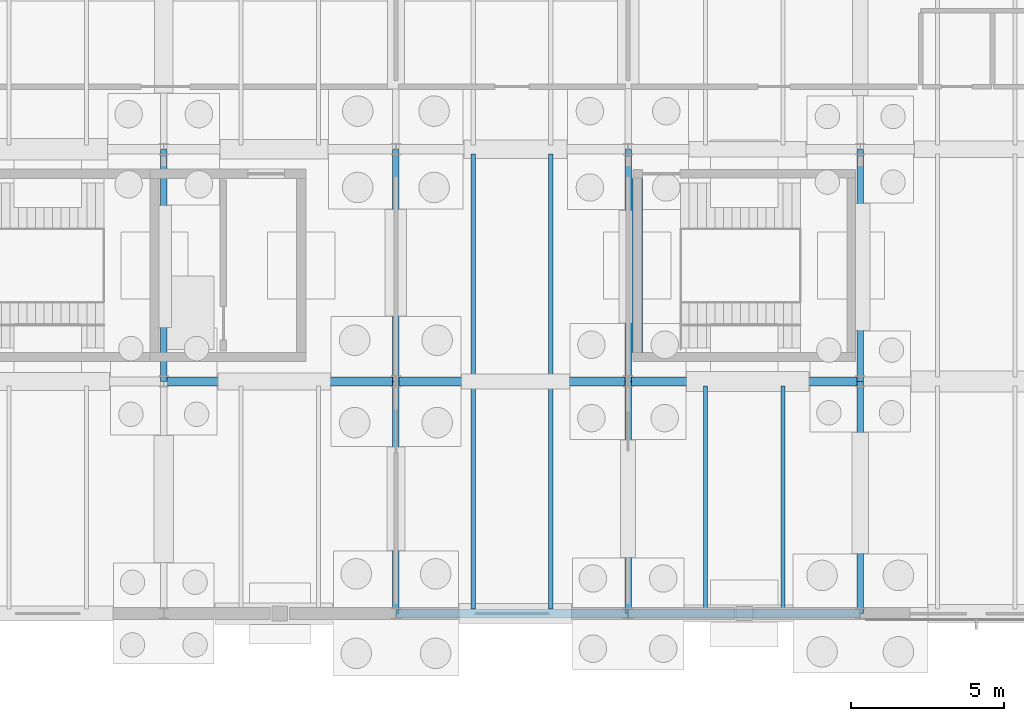
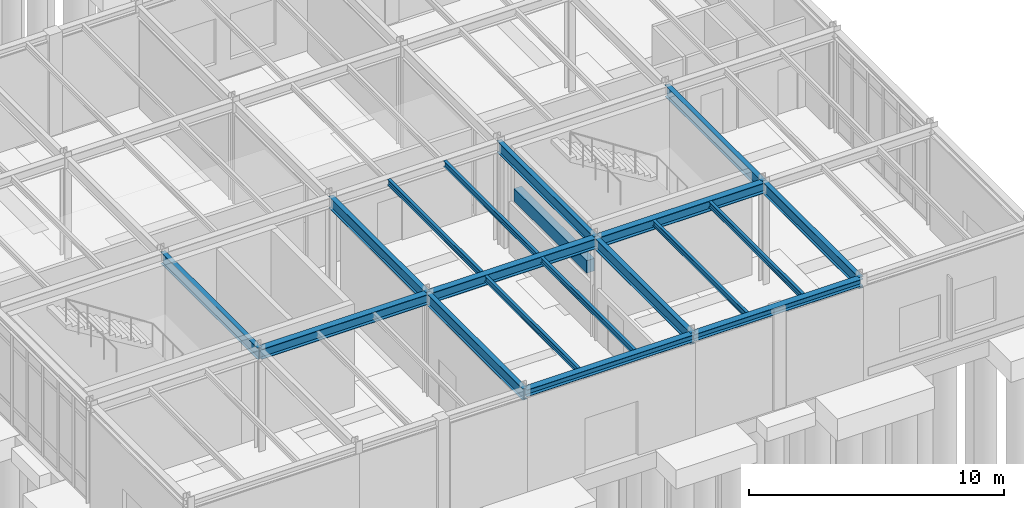
# One storey, part 29 of 109: 19 beams.
"""IFC4 building model written with IfcOpenShell, lengths in metres."""

import ifcopenshell
import ifcopenshell.guid

model = None  # the IFC model being written
_history = None  # IfcOwnerHistory: only IFC2X3 demands one
_inside = {}  # id of a spatial element -> (the spatial element, [elements in it])
_under = {}  # id of a project, library or spatial element -> (it, [spatial elements below it])
_declared = {}  # id of a project -> (the project, [libraries it declares])
_typed = {}  # id of a type object -> (the type object, [elements of that type])
_made_of = {}  # id of a material, layer set ... -> (it, [elements and type objects made of it])


def new_model(schema):
    """Start an empty IFC model of exactly this schema.

    Asked for "IFC4X3", IfcOpenShell would pick the latest addendum, in which some entities
    have other attributes; the version numbers below select the first issue.
    IFC2X3 requires an IfcOwnerHistory on every rooted entity: one is made here for all.
    """
    global model, _history
    if schema == "IFC4X3":
        model = ifcopenshell.file(schema_version=(4, 3, 0, 0))
    else:
        model = ifcopenshell.file(schema=schema)
    _inside.clear()
    _under.clear()
    _declared.clear()
    _typed.clear()
    _made_of.clear()
    _history = None
    if model.schema == "IFC2X3":
        org = make("IfcOrganization", Name="unknown")
        user = make(
            "IfcPersonAndOrganization",
            ThePerson=make("IfcPerson", FamilyName="unknown"),
            TheOrganization=org,
        )
        app = make(
            "IfcApplication",
            ApplicationDeveloper=org,
            Version="unknown",
            ApplicationFullName="unknown",
            ApplicationIdentifier="unknown",
        )
        _history = make(
            "IfcOwnerHistory",
            OwningUser=user,
            OwningApplication=app,
            ChangeAction="ADDED",
            CreationDate=0,
        )
    return model


def make(cls, **values):
    """One entity of the class cls with the attributes given. An attribute that is None is left unset."""
    return model.create_entity(
        cls, **{name: value for name, value in values.items() if value is not None}
    )


def rooted(cls, **values):
    """An entity with a GlobalId (a new one), such as an element, a storey or a relation."""
    return make(cls, GlobalId=ifcopenshell.guid.new(), OwnerHistory=_history, **values)


def si_unit(unit_type, name, prefix=None):
    """IfcSIUnit, for example si_unit("LENGTHUNIT", "METRE", prefix="MILLI")."""
    return make("IfcSIUnit", UnitType=unit_type, Prefix=prefix, Name=name)


def assignment(units):
    """IfcUnitAssignment: the units of a project."""
    return None if units is None else make("IfcUnitAssignment", Units=units)


def point(xyz):
    """IfcCartesianPoint."""
    return None if xyz is None else make("IfcCartesianPoint", Coordinates=xyz)


def direction(xyz):
    """IfcDirection."""
    return None if xyz is None else make("IfcDirection", DirectionRatios=xyz)


def frame(location, z_axis=None, x_axis=None):
    """IfcAxis2Placement3D, a coordinate frame: its origin and axes. An axis left out is left unset."""
    return make(
        "IfcAxis2Placement3D",
        Location=point(location),
        Axis=direction(z_axis),
        RefDirection=direction(x_axis),
    )


def frame_2d(location, x_axis=None):
    """IfcAxis2Placement2D, a coordinate frame in the plane: its origin and x axis."""
    return make(
        "IfcAxis2Placement2D", Location=point(location), RefDirection=direction(x_axis)
    )


def origin():
    """The frame at (0, 0, 0) with its axes left unset."""
    return frame((0.0, 0.0, 0.0))


def origin_2d():
    """The frame at (0, 0) in the plane with its x axis left unset."""
    return frame_2d((0.0, 0.0))


def place(relative_to, where):
    """IfcLocalPlacement: puts the frame where relative to a parent placement (None: the world)."""
    return make(
        "IfcLocalPlacement", PlacementRelTo=relative_to, RelativePlacement=where
    )


def context(
    kind, dimensions, precision=None, world=None, true_north=None, identifier=None
):
    """IfcGeometricRepresentationContext, for example the 3D "Model" context."""
    return make(
        "IfcGeometricRepresentationContext",
        ContextIdentifier=identifier,
        ContextType=kind,
        CoordinateSpaceDimension=dimensions,
        Precision=precision,
        WorldCoordinateSystem=world,
        TrueNorth=true_north,
    )


def subcontext(parent, identifier, kind, view, scale=None):
    """IfcGeometricRepresentationSubContext, for example "Body" below "Model"."""
    return make(
        "IfcGeometricRepresentationSubContext",
        ContextIdentifier=identifier,
        ContextType=kind,
        ParentContext=parent,
        TargetScale=scale,
        TargetView=view,
    )


def project(units=None, contexts=None):
    """IfcProject with its units and contexts."""
    return rooted(
        "IfcProject",
        Name="project",
        RepresentationContexts=contexts,
        UnitsInContext=assignment(units),
    )


def spatial(cls, under=None, at=None, **own):
    """A site, building, storey or space (cls), placed at a placement, below another one or the project."""
    s = rooted(cls, ObjectPlacement=at, **own)
    if under is not None:
        _under.setdefault(under.id(), (under, []))[1].append(s)
    return s


def profile(cls, at=None, kind="AREA", **sizes):
    """A parametric profile (cls). Its sizes go by their IFC names, for example OverallWidth=200.0."""
    return make(cls, ProfileType=kind, Position=at, **sizes)


def rectangle(**sizes):
    """IfcRectangleProfileDef."""
    return profile("IfcRectangleProfileDef", **sizes)


def i_section(**sizes):
    """IfcIShapeProfileDef."""
    return profile("IfcIShapeProfileDef", **sizes)


def extrude(swept, where, along, depth):
    """IfcExtrudedAreaSolid: the profile swept, set in the frame where, extruded along a direction by depth."""
    return make(
        "IfcExtrudedAreaSolid",
        SweptArea=swept,
        Position=where,
        ExtrudedDirection=direction(along),
        Depth=depth,
    )


def shape(context_of_items, identifier, shape_type, items):
    """IfcShapeRepresentation: the items that make up one representation, for example the "Body"."""
    return make(
        "IfcShapeRepresentation",
        ContextOfItems=context_of_items,
        RepresentationIdentifier=identifier,
        RepresentationType=shape_type,
        Items=items,
    )


def material(Name=None, Category=None):
    """IfcMaterial."""
    return make("IfcMaterial", Name=Name, Category=Category)


def material_profile(
    of_material, cross_section, Name=None, Category=None, Priority=None
):
    """IfcMaterialProfile: a cross section and its material."""
    return make(
        "IfcMaterialProfile",
        Name=Name,
        Material=of_material,
        Profile=cross_section,
        Priority=Priority,
        Category=Category,
    )


def profile_set(profiles, Name=None, composite=None):
    """IfcMaterialProfileSet."""
    return make(
        "IfcMaterialProfileSet",
        Name=Name,
        MaterialProfiles=profiles,
        CompositeProfile=composite,
    )


def made_of(thing, what):
    """Note that an element or type object is made of a material, layer set ...; save() writes the relation."""
    if what is not None:
        _made_of.setdefault(what.id(), (what, []))[1].append(thing)
    return thing


def type_object(cls, material=None, **own):
    """A type object (cls), such as IfcWallType, which elements share."""
    return made_of(rooted(cls, **own), material)


def element(
    cls,
    number,
    at=None,
    inside=None,
    cuts=None,
    type_object=None,
    material=None,
    context=None,
    identifier="Body",
    shape_type=None,
    held_by="IfcProductDefinitionShape",
    body=None,
    shapes=None,
    **own,
):
    """One element of the class cls, such as IfcWall. Its Tag is "e" and its number.

    at: its placement. inside: the storey or other place that contains it. cuts: it is an
    opening in that element (IfcRelVoidsElement). A single representation is given by context,
    identifier, shape_type and body (its items); several are given by shapes. held_by: the class
    of the entity that holds the representations. save() writes the other relations.
    """
    e = rooted(cls, Tag="e%d" % number, ObjectPlacement=at, **own)
    if body is not None:
        shapes = [shape(context, identifier, shape_type, body)]
    if shapes is not None:
        e.Representation = make(held_by, Representations=shapes)
    if inside is not None:
        _inside.setdefault(inside.id(), (inside, []))[1].append(e)
    if cuts is not None:
        rooted(
            "IfcRelVoidsElement", RelatingBuildingElement=cuts, RelatedOpeningElement=e
        )
    if type_object is not None:
        _typed.setdefault(type_object.id(), (type_object, []))[1].append(e)
    return made_of(e, material)


def aggregate(whole, parts):
    """IfcRelAggregates: a whole, such as a stair, and the parts it consists of."""
    return rooted("IfcRelAggregates", RelatingObject=whole, RelatedObjects=parts)


def save(model, path):
    """Write the relations noted so far, then the file.

    IfcRelAggregates (storeys below a building ...), IfcRelContainedInSpatialStructure (elements
    in a storey), IfcRelDefinesByType, IfcRelAssociatesMaterial and IfcRelDeclares: one each for
    every whole, place, type object, material and project.
    """
    for whole, parts in _under.values():
        aggregate(whole, parts)
    for where, things in _inside.values():
        rooted(
            "IfcRelContainedInSpatialStructure",
            RelatedElements=things,
            RelatingStructure=where,
        )
    for kind, things in _typed.values():
        rooted("IfcRelDefinesByType", RelatedObjects=things, RelatingType=kind)
    for what, things in _made_of.values():
        rooted("IfcRelAssociatesMaterial", RelatedObjects=things, RelatingMaterial=what)
    for by, libraries in _declared.values():
        rooted("IfcRelDeclares", RelatingContext=by, RelatedDefinitions=libraries)
    model.write(path)


model = new_model("IFC4")

# Units and contexts
model_context = context("Model", 3, precision=1e-05, world=origin(), true_north=direction((0.0, 1.0)))
body_context = subcontext(model_context, "Body", "Model", "MODEL_VIEW")
ifc_project = project(units=[si_unit("LENGTHUNIT", "METRE"), si_unit("AREAUNIT", "SQUARE_METRE"), si_unit("VOLUMEUNIT", "CUBIC_METRE"), si_unit("PLANEANGLEUNIT", "RADIAN"), si_unit("MASSUNIT", "GRAM", prefix="KILO")], contexts=[model_context])

# Site, building, storey
site_placement = place(None, origin())
site = spatial("IfcSite", under=ifc_project, at=site_placement, CompositionType="ELEMENT")
building_placement = place(site_placement, origin())
building = spatial("IfcBuilding", under=site, at=building_placement, Name="Montecoro Central Library", CompositionType="ELEMENT")
storey_placement = place(building_placement, origin())
storey = spatial("IfcBuildingStorey", under=building, at=storey_placement, Name="L00", CompositionType="ELEMENT", Elevation=0.0)

# Beams
ifc_material_1 = material(Name="Steel S355J2", Category="steel")
ifc_material_profile_1 = material_profile(ifc_material_1, i_section(OverallWidth=0.300048828125, OverallDepth=0.489990234375, WebThickness=0.011962890625, FlangeThickness=0.02294921875, at=origin_2d()), Name="HEA 500")
ifc_profile_set_1 = profile_set([ifc_material_profile_1], Name="Steel S355J2")
beam_type_1 = type_object("IfcBeamType", Name="BM-G-HEA500", PredefinedType="USERDEFINED", material=ifc_profile_set_1)
beam_1_placement = place(storey_placement, frame((12.60498046875, 12.60009765625, 4.60009765625), z_axis=(1.0, 0.0, 0.0), x_axis=(0.0, 1.0, 0.0)))
element("IfcBeam", 1, at=beam_1_placement, inside=storey, type_object=beam_type_1, Name="V3-L00-BX-23-B", ObjectType="GIRDER", PredefinedType="USERDEFINED", context=body_context, shape_type="SweptSolid", body=[
    extrude(i_section(OverallWidth=0.300048828125, OverallDepth=0.489990234375, WebThickness=0.011962890625, FlangeThickness=0.02294921875, at=origin_2d()), origin(), (0.0, 0.0, 1.0), 7.590087890625),
])
beam_2_placement = place(storey_placement, frame((20.205078125, 12.60009765625, 4.60009765625), z_axis=(1.0, 0.0, 0.0), x_axis=(0.0, 1.0, 0.0)))
element("IfcBeam", 2, at=beam_2_placement, inside=storey, type_object=beam_type_1, Name="V3-L00-BX-34-B", ObjectType="GIRDER", PredefinedType="USERDEFINED", context=body_context, shape_type="SweptSolid", body=[
    extrude(i_section(OverallWidth=0.300048828125, OverallDepth=0.489990234375, WebThickness=0.011962890625, FlangeThickness=0.02294921875, at=origin_2d()), origin(), (0.0, 0.0, 1.0), 7.58984375),
])
beam_3_placement = place(storey_placement, frame((27.804931640625, 12.60009765625, 4.60009765625), z_axis=(1.0, 0.0, 0.0), x_axis=(0.0, 1.0, 0.0)))
element("IfcBeam", 3, at=beam_3_placement, inside=storey, type_object=beam_type_1, Name="V3-L00-BX-45-B", ObjectType="GIRDER", PredefinedType="USERDEFINED", context=body_context, shape_type="SweptSolid", body=[
    extrude(i_section(OverallWidth=0.300048828125, OverallDepth=0.489990234375, WebThickness=0.011962890625, FlangeThickness=0.02294921875, at=origin_2d()), origin(), (0.0, 0.0, 1.0), 7.590087890625),
])
ifc_material_profile_2 = material_profile(ifc_material_1, i_section(OverallWidth=0.2099609375, OverallDepth=0.550048828125, WebThickness=0.010986328125, FlangeThickness=0.01708984375, at=origin_2d()), Name="IPE 550")
ifc_profile_set_2 = profile_set([ifc_material_profile_2], Name="Steel S355J2")
beam_type_2 = type_object("IfcBeamType", Name="BM-G-IPE550", PredefinedType="USERDEFINED", material=ifc_profile_set_2)
for number, where, z_axis, x_axis, name in (
    (4, (12.60009765625, 12.60498046875, 4.570068359375), (0.0, 1.0, 0.0), (-1.0, 0.0, 0.0), "V3-L00-BY-2-BC"),
    (5, (20.199951171875, 5.0048828125, 4.570068359375), (0.0, 1.0, 0.0), (-1.0, 0.0, 0.0), "V3-L00-BY-3-AB"),
    (6, (20.199951171875, 12.60498046875, 4.570068359375), (0.0, 1.0, 0.0), (-1.0, 0.0, 0.0), "V3-L00-BY-3-BC"),
    (7, (27.800048828125, 5.0048828125, 4.570068359375), (0.0, 1.0, 0.0), (-1.0, 0.0, 0.0), "V3-L00-BY-4-AB"),
    (8, (27.800048828125, 12.60498046875, 4.570068359375), (0.0, 1.0, 0.0), (-1.0, 0.0, 0.0), "V3-L00-BY-4-BC"),
    (9, (35.39990234375, 5.0048828125, 4.570068359375), (0.0, 1.0, 0.0), (-1.0, 0.0, 0.0), "V3-L00-BY-5-AB"),
    (10, (35.39990234375, 12.60498046875, 4.570068359375), (0.0, 1.0, 0.0), (-1.0, 0.0, 0.0), "V3-L00-BY-5-BC"),
):
    element("IfcBeam", number, at=place(storey_placement, frame(where, z_axis=z_axis, x_axis=x_axis)), inside=storey, type_object=beam_type_2, Name=name, ObjectType="GIRDER", PredefinedType="USERDEFINED", context=body_context, shape_type="SweptSolid", body=[
        extrude(i_section(OverallWidth=0.2099609375, OverallDepth=0.550048828125, WebThickness=0.010986328125, FlangeThickness=0.01708984375, at=origin_2d()), origin(), (0.0, 0.0, 1.0), 7.590087890625),
    ])
ifc_material_2 = material(Name="Steel S355", Category="steel")
ifc_material_profile_3 = material_profile(ifc_material_2, i_section(OverallWidth=0.135009765625, OverallDepth=0.27001953125, WebThickness=0.006591796875, FlangeThickness=0.01025390625, at=origin_2d()), Name="IPE 270")
ifc_profile_set_3 = profile_set([ifc_material_profile_3], Name="Steel S355")
beam_type_3 = type_object("IfcBeamType", Name="BM-J-IPE270", PredefinedType="JOIST", material=ifc_profile_set_3)
for number, where, z_axis, x_axis, name in (
    (11, (22.73291015625, 5.14697265625, 4.7099609375), (0.0, 1.0, 0.0), (-1.0, 0.0, 0.0), "V3-L00-JS-34-AB-1"),
    (12, (25.26708984375, 5.14697265625, 4.7099609375), (0.0, 1.0, 0.0), (-1.0, 0.0, 0.0), "V3-L00-JS-34-AB-2"),
    (13, (22.73291015625, 12.7470703125, 4.7099609375), (0.0, 1.0, 0.0), (-1.0, 0.0, 0.0), "V3-L00-JS-34-BC-1"),
    (14, (25.26708984375, 12.7470703125, 4.7099609375), (0.0, 1.0, 0.0), (-1.0, 0.0, 0.0), "V3-L00-JS-34-BC-2"),
    (15, (30.3330078125, 5.14697265625, 4.7099609375), (0.0, 1.0, 0.0), (-1.0, 0.0, 0.0), "V3-L00-JS-45-AB-1"),
    (16, (32.866943359375, 5.14697265625, 4.7099609375), (0.0, 1.0, 0.0), (-1.0, 0.0, 0.0), "V3-L00-JS-45-AB-2"),
):
    element("IfcBeam", number, at=place(storey_placement, frame(where, z_axis=z_axis, x_axis=x_axis)), inside=storey, type_object=beam_type_3, Name=name, PredefinedType="JOIST", context=body_context, shape_type="SweptSolid", body=[
        extrude(i_section(OverallWidth=0.135009765625, OverallDepth=0.27001953125, WebThickness=0.006591796875, FlangeThickness=0.01025390625, at=origin_2d()), origin(), (0.0, 0.0, 1.0), 7.305908203125),
    ])
ifc_material_3 = material(Name="Concrete C35/45", Category="concrete")
ifc_material_profile_4 = material_profile(ifc_material_3, rectangle(XDim=0.35009765625, YDim=0.60009765625, at=origin_2d()), Name="RC LNT 600x350")
ifc_profile_set_4 = profile_set([ifc_material_profile_4], Name="Concrete C35/45")
beam_type_4 = type_object("IfcBeamType", Name="BM-LN-RC01", PredefinedType="LINTEL", material=ifc_profile_set_4)
beam_4_placement = place(storey_placement, frame((28.10009765625, 13.550048828125, 2.75), z_axis=(0.0, 1.0, 0.0), x_axis=(-1.0, 0.0, 0.0)))
element("IfcBeam", 17, at=beam_4_placement, inside=storey, type_object=beam_type_4, Name="C11-L00-LNT", PredefinedType="LINTEL", context=body_context, shape_type="SweptSolid", body=[
    extrude(rectangle(XDim=0.35009765625, YDim=0.60009765625, at=origin_2d()), origin(), (0.0, 0.0, 1.0), 5.699951171875),
])
ifc_material_profile_5 = material_profile(ifc_material_2, i_section(OverallWidth=0.300048828125, OverallDepth=0.330078125, WebThickness=0.009521484375, FlangeThickness=0.0166015625, at=origin_2d()), Name="HEA 340")
ifc_profile_set_5 = profile_set([ifc_material_profile_5], Name="Steel S355")
beam_type_5 = type_object("IfcBeamType", Name="BM-SP-HEA340", PredefinedType="SPANDREL", material=ifc_profile_set_5)
beam_5_placement = place(storey_placement, frame((20.205078125, 5.0, 4.679931640625), z_axis=(1.0, 0.0, 0.0), x_axis=(0.0, 1.0, 0.0)))
element("IfcBeam", 18, at=beam_5_placement, inside=storey, type_object=beam_type_5, Name="V3-L00-BX-34-A", PredefinedType="SPANDREL", context=body_context, shape_type="SweptSolid", body=[
    extrude(i_section(OverallWidth=0.300048828125, OverallDepth=0.330078125, WebThickness=0.009521484375, FlangeThickness=0.0166015625, at=origin_2d()), origin(), (0.0, 0.0, 1.0), 7.58984375),
])
beam_6_placement = place(storey_placement, frame((27.804931640625, 5.0, 4.679931640625), z_axis=(1.0, 0.0, 0.0), x_axis=(0.0, 1.0, 0.0)))
element("IfcBeam", 19, at=beam_6_placement, inside=storey, type_object=beam_type_5, Name="V3-L00-BX-45-A", PredefinedType="SPANDREL", context=body_context, shape_type="SweptSolid", body=[
    extrude(i_section(OverallWidth=0.300048828125, OverallDepth=0.330078125, WebThickness=0.009521484375, FlangeThickness=0.0166015625, at=origin_2d()), origin(), (0.0, 0.0, 1.0), 7.590087890625),
])

save(model, "model.ifc")
